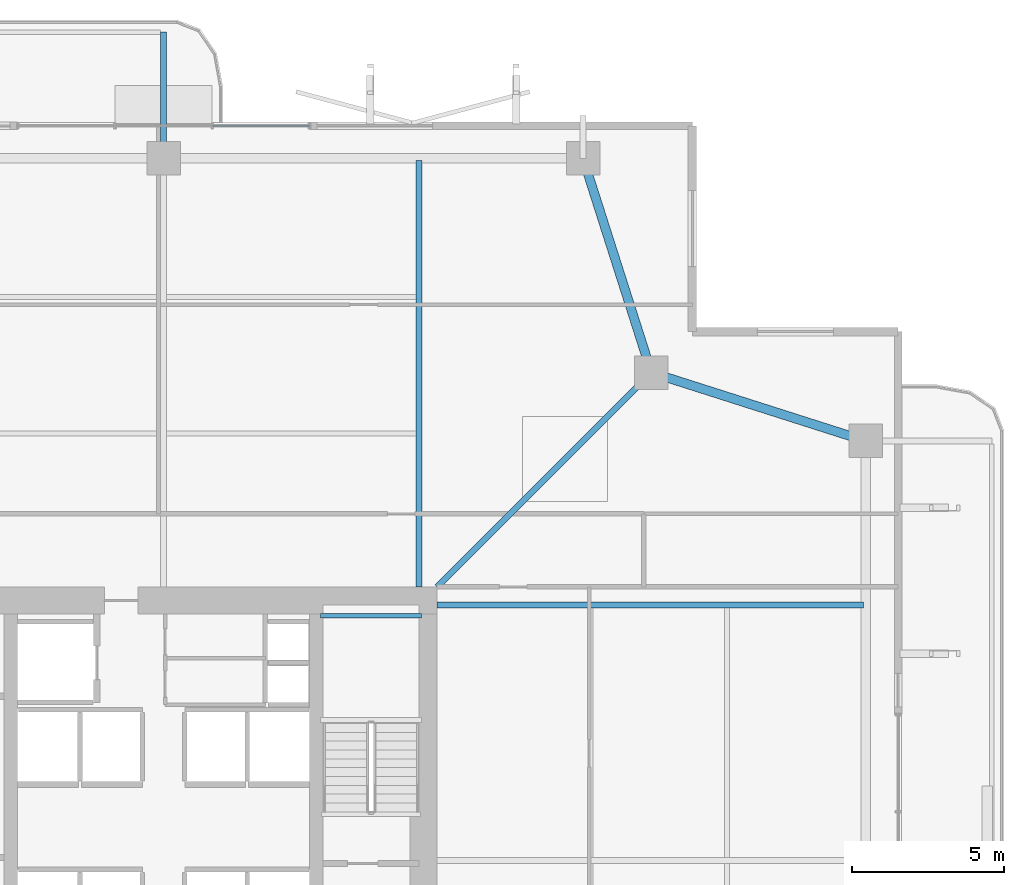
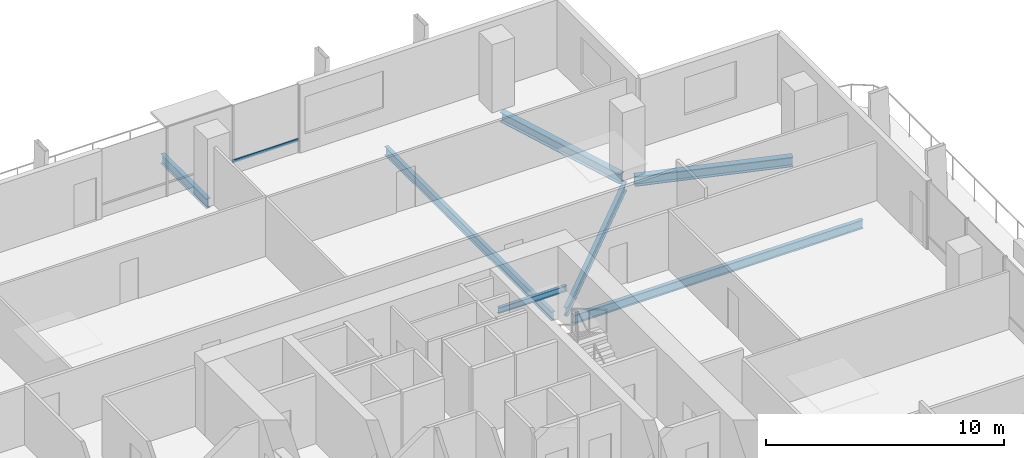
# One storey, part 14 of 25: 7 beams, 1 member, 1 element without a shape of its own.
"""IFC4 building model written with IfcOpenShell, lengths in metres."""

from ifc_helpers import new_model, si_unit, direction, frame, origin, origin_2d, place, context, subcontext, project, spatial, hollow_rectangle, i_section, extrude, material, layer, layer_set, material_profile, profile_set, type_object, element, aggregate, save


model = new_model("IFC4")

# Units and contexts
model_context = context("Model", 3, precision=1e-05, world=origin(), true_north=direction((0.0, 1.0)))
body_context = subcontext(model_context, "Body", "Model", "MODEL_VIEW")
ifc_project = project(units=[si_unit("LENGTHUNIT", "METRE"), si_unit("AREAUNIT", "SQUARE_METRE"), si_unit("VOLUMEUNIT", "CUBIC_METRE"), si_unit("PLANEANGLEUNIT", "RADIAN"), si_unit("MASSUNIT", "GRAM", prefix="KILO")], contexts=[model_context])

# Site, building, storey
site_placement = place(None, origin())
site = spatial("IfcSite", under=ifc_project, at=site_placement, CompositionType="ELEMENT")
building_placement = place(site_placement, origin())
building = spatial("IfcBuilding", under=site, at=building_placement, Name="Belovzor Exchange Tower", CompositionType="ELEMENT")
storey_placement = place(building_placement, frame((0.0, 0.0, 153.300048828125)))
storey = spatial("IfcBuildingStorey", under=building, at=storey_placement, Name="L37", CompositionType="ELEMENT", Elevation=153.300048828125)

# Beams
ifc_material_1 = material(Name="Steel S355", Category="steel")
ifc_material_profile_1 = material_profile(ifc_material_1, i_section(OverallWidth=0.199951171875, OverallDepth=0.5, WebThickness=0.01025390625, FlangeThickness=0.01611328125, at=origin_2d()))
ifc_profile_set_1 = profile_set([ifc_material_profile_1], Name="Steel S355")
beam_type_1 = type_object("IfcBeamType", Name="Planted Balcony Cantilever Beam IPE 500", PredefinedType="BEAM", material=ifc_profile_set_1)
beam_1_placement = place(storey_placement, frame((28.800048828125, 52.202880859375, -0.505126953125), z_axis=(0.0, 1.0, 0.0), x_axis=(-1.0, 0.0, 0.0)))
element("IfcBeam", 1, at=beam_1_placement, inside=storey, type_object=beam_type_1, Name="BC-500 Planted Balcony Cantilever Beam IPE 500", PredefinedType="BEAM", context=body_context, shape_type="SweptSolid", body=[
    extrude(i_section(OverallWidth=0.199951171875, OverallDepth=0.5, WebThickness=0.01025390625, FlangeThickness=0.01611328125, at=origin_2d()), origin(), (0.0, 0.0, 1.0), 3.85009765625),
])
ifc_material_2 = material(Name="Steel S355", Category="steel")
ifc_material_profile_2 = material_profile(ifc_material_2, i_section(OverallWidth=0.14990234375, OverallDepth=0.300048828125, WebThickness=0.007080078125, FlangeThickness=0.0107421875, at=origin_2d()))
ifc_profile_set_2 = profile_set([ifc_material_profile_2], Name="Steel S355")
beam_type_2 = type_object("IfcBeamType", Name="Secondary Trim Floor Joist IPE 300", PredefinedType="BEAM", material=ifc_profile_set_2)
beam_2_placement = place(storey_placement, frame((37.280029296875, 36.85009765625, 1.52490234375), z_axis=(-1.0, 0.0, 0.0), x_axis=(0.0, -1.0, 0.0)))
element("IfcBeam", 2, at=beam_2_placement, inside=storey, type_object=beam_type_2, Name="FJ-300 Secondary Trim Floor Joist IPE 300", PredefinedType="BEAM", context=body_context, shape_type="SweptSolid", body=[
    extrude(i_section(OverallWidth=0.14990234375, OverallDepth=0.300048828125, WebThickness=0.007080078125, FlangeThickness=0.0107421875, at=origin_2d()), origin(), (0.0, 0.0, 1.0), 3.31005859375),
])

# Curtain wall, member
ifc_material_3 = material(Name="Anodised Aluminium Framing", Category="aluminium")
ifc_layer = layer(ifc_material_3, 0.179931640625)
ifc_layer_set = layer_set([ifc_layer], Name="Anodised Aluminium Framing")
curtain_wall_type = type_object("IfcCurtainWallType", Name="Recessed Loggia Low-Iron Triple-Glazed Curtain Wall", PredefinedType="NOTDEFINED", material=ifc_layer_set)
curtain_wall_placement = place(storey_placement, origin())
curtain_wall = element("IfcCurtainWall", 3, at=curtain_wall_placement, inside=storey, type_object=curtain_wall_type, Name="CW3 Recessed Loggia Low-Iron Triple-Glazed Curtain Wall L37", PredefinedType="NOTDEFINED")
ifc_material_4 = material(Name="Steel S355", Category="steel")
ifc_material_profile_3 = material_profile(ifc_material_4, hollow_rectangle(XDim=0.06005859375, YDim=0.14990234375, WallThickness=0.00390625, at=origin_2d()))
ifc_profile_set_3 = profile_set([ifc_material_profile_3], Name="Steel S355")
member_type = type_object("IfcMemberType", Name="Thermally Broken Curtain Wall Transom 150x60", PredefinedType="USERDEFINED", material=ifc_profile_set_3)
member_placement = place(storey_placement, frame((30.407958984375, 52.969970703125, 0.62890625), z_axis=(1.0, 0.0, 0.0), x_axis=(0.0, 1.0, 0.0)))
member = element("IfcMember", 4, at=member_placement, type_object=member_type, Name="CW-T150 Curtain Wall Transom 3", ObjectType="TRANSOM", PredefinedType="USERDEFINED", context=body_context, shape_type="SweptSolid", body=[
    extrude(hollow_rectangle(XDim=0.06005859375, YDim=0.14990234375, WallThickness=0.00390625, at=origin_2d()), origin(), (0.0, 0.0, 1.0), 3.18408203125),
])
aggregate(curtain_wall, [member])

# Beams
ifc_material_5 = material(Name="Steel S355", Category="steel")
ifc_material_profile_4 = material_profile(ifc_material_5, i_section(OverallWidth=0.18994140625, OverallDepth=0.449951171875, WebThickness=0.009521484375, FlangeThickness=0.0146484375, at=origin_2d()))
ifc_profile_set_4 = profile_set([ifc_material_profile_4], Name="Steel S355")
beam_type_3 = type_object("IfcBeamType", Name="Zone 2-4 Radial Composite Floor Beam IPE 450", PredefinedType="BEAM", material=ifc_profile_set_4)
for number, where, z_axis, x_axis, name in (
    (5, (37.199951171875, 37.800048828125, -0.47998046875), (0.0, 1.0, 0.0), (-1.0, 0.0, 0.0), "FB-450 Zone 2-4 Radial Composite Floor Beam IPE 450"),
    (6, (37.800048828125, 37.199951171875, -0.47998046875), (1.0, 0.0, 0.0), (0.0, 1.0, 0.0), "FB-450 Zone 2-4 Radial Composite Floor Beam IPE 450"),
):
    element("IfcBeam", number, at=place(storey_placement, frame(where, z_axis=z_axis, x_axis=x_axis)), inside=storey, type_object=beam_type_3, Name=name, PredefinedType="BEAM", context=body_context, shape_type="SweptSolid", body=[
        extrude(i_section(OverallWidth=0.18994140625, OverallDepth=0.449951171875, WebThickness=0.009521484375, FlangeThickness=0.0146484375, at=origin_2d()), origin(), (0.0, 0.0, 1.0), 14.02490234375),
    ])
beam_3_placement = place(storey_placement, frame((37.800048828125, 37.800048828125, -0.47998046875), z_axis=(0.707106781187, 0.707106781187, 0.0), x_axis=(-0.707106781187, 0.707106781187, 0.0)))
element("IfcBeam", 7, at=beam_3_placement, inside=storey, type_object=beam_type_3, Name="FB-450 Zone 2-4 Radial Composite Floor Beam IPE 450", PredefinedType="BEAM", context=body_context, shape_type="SweptSolid", body=[
    extrude(i_section(OverallWidth=0.18994140625, OverallDepth=0.449951171875, WebThickness=0.009521484375, FlangeThickness=0.0146484375, at=origin_2d()), origin(), (0.0, 0.0, 1.0), 9.5810546875),
])
ifc_material_6 = material(Name="Steel S355", Category="steel")
ifc_material_profile_5 = material_profile(ifc_material_6, i_section(OverallWidth=0.300048828125, OverallDepth=0.5, WebThickness=0.014404296875, FlangeThickness=0.028076171875, at=origin_2d()))
ifc_profile_set_5 = profile_set([ifc_material_profile_5], Name="Steel S355")
beam_type_4 = type_object("IfcBeamType", Name="Zone 3 Waist Primary Girder HEB 500", PredefinedType="BEAM", material=ifc_profile_set_5)
for number, where, z_axis, x_axis, name in (
    (8, (51.612060546875, 42.69189453125, -0.505126953125), (-0.952661203756, 0.304033930439, 0.0), (-0.304033930439, -0.952661203756, 0.0), "FG-Z3 Zone 3 Waist Primary Girder HEB 500"),
    (9, (44.758056640625, 45.137939453125, -0.505126953125), (-0.304033930439, 0.952661203756, 0.0), (-0.952661203756, -0.304033930439, 0.0), "FG-Z3 Zone 3 Waist Primary Girder HEB 500"),
):
    element("IfcBeam", number, at=place(storey_placement, frame(where, z_axis=z_axis, x_axis=x_axis)), inside=storey, type_object=beam_type_4, Name=name, PredefinedType="BEAM", context=body_context, shape_type="SweptSolid", body=[
        extrude(i_section(OverallWidth=0.300048828125, OverallDepth=0.5, WebThickness=0.014404296875, FlangeThickness=0.028076171875, at=origin_2d()), origin(), (0.0, 0.0, 1.0), 6.7958984375),
    ])

save(model, "model.ifc")
